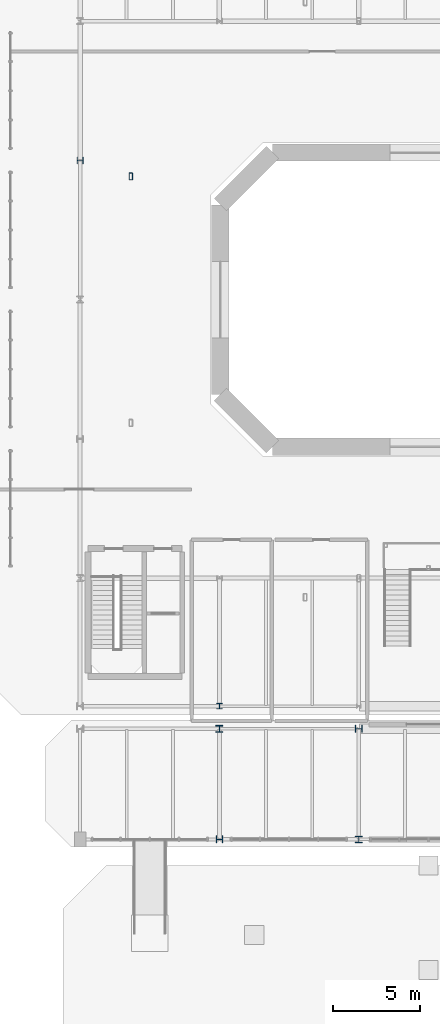
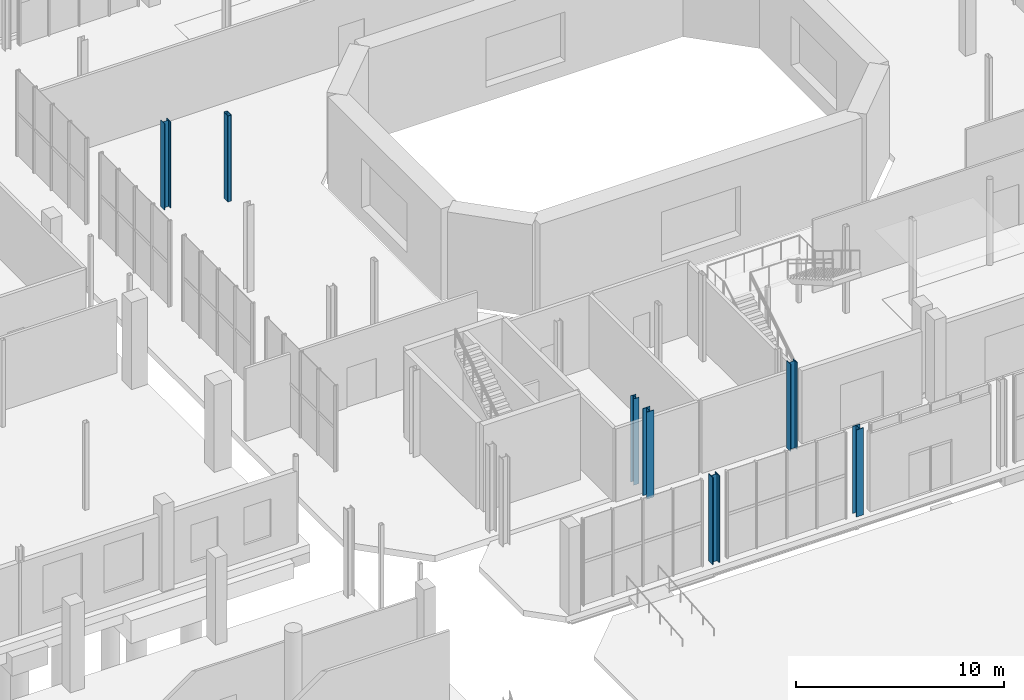
# One storey, part 12 of 87: 7 columns.
"""IFC4 building model written with IfcOpenShell, lengths in metres."""

from ifc_helpers import new_model, si_unit, direction, frame, origin, origin_2d, place, context, subcontext, project, spatial, hollow_rectangle, i_section, extrude, material, material_profile, profile_set, type_object, element, save


model = new_model("IFC4")

# Units and contexts
model_context = context("Model", 3, precision=1e-05, world=origin(), true_north=direction((0.0, 1.0)))
body_context = subcontext(model_context, "Body", "Model", "MODEL_VIEW")
ifc_project = project(units=[si_unit("LENGTHUNIT", "METRE"), si_unit("AREAUNIT", "SQUARE_METRE"), si_unit("VOLUMEUNIT", "CUBIC_METRE"), si_unit("PLANEANGLEUNIT", "RADIAN"), si_unit("MASSUNIT", "GRAM", prefix="KILO")], contexts=[model_context])

# Site, building, storey
site_placement = place(None, origin())
site = spatial("IfcSite", under=ifc_project, at=site_placement, CompositionType="ELEMENT")
building_placement = place(site_placement, origin())
building = spatial("IfcBuilding", under=site, at=building_placement, Name="Brisemont Oceanarium", CompositionType="ELEMENT")
storey_placement = place(building_placement, origin())
storey = spatial("IfcBuildingStorey", under=building, at=storey_placement, Name="L00", CompositionType="ELEMENT", Elevation=0.0)

# Columns
ifc_material_1 = material(Name="Structural Steel ASTM A500 Gr.C", Category="steel")
ifc_material_profile_1 = material_profile(ifc_material_1, hollow_rectangle(XDim=0.202880859375, YDim=0.406005859375, WallThickness=0.01171875, InnerFilletRadius=0.01220703125, OuterFilletRadius=0.02392578125, at=origin_2d()), Name="HSS16X8X1/2")
ifc_profile_set_1 = profile_set([ifc_material_profile_1], Name="Structural Steel ASTM A500 Gr.C")
column_type_1 = type_object("IfcColumnType", Name="COL-HSS16X8", PredefinedType="COLUMN", material=ifc_profile_set_1)
column_1_placement = place(storey_placement, frame((66.908203125, 63.07958984375, 0.0), z_axis=(0.0, 0.0, 1.0), x_axis=(1.0, 0.0, 0.0)))
element("IfcColumn", 1, at=column_1_placement, inside=storey, type_object=column_type_1, Name="V1 dome drum pier L00.4", PredefinedType="COLUMN", context=body_context, shape_type="SweptSolid", body=[
    extrude(hollow_rectangle(XDim=0.202880859375, YDim=0.406005859375, WallThickness=0.01171875, InnerFilletRadius=0.01220703125, OuterFilletRadius=0.02392578125, at=origin_2d()), origin(), (0.0, 0.0, 1.0), 5.06005859375),
])
ifc_material_2 = material(Name="Structural Steel ASTM A992 Gr.50", Category="steel")
ifc_material_profile_2 = material_profile(ifc_material_2, i_section(OverallWidth=0.306884765625, OverallDepth=0.31494140625, WebThickness=0.011962890625, FlangeThickness=0.018798828125, FilletRadius=0.012939453125, at=origin_2d()), Name="W12X79")
ifc_profile_set_2 = profile_set([ifc_material_profile_2], Name="Structural Steel ASTM A992 Gr.50")
column_type_2 = type_object("IfcColumnType", Name="COL-W12X79", PredefinedType="COLUMN", material=ifc_profile_set_2)
column_2_placement = place(storey_placement, frame((72.0, 32.64990234375, 0.0), z_axis=(0.0, 0.0, 1.0), x_axis=(1.0, 0.0, 0.0)))
element("IfcColumn", 2, at=column_2_placement, inside=storey, type_object=column_type_2, Name="V1 L00 column (2,0)", PredefinedType="COLUMN", context=body_context, shape_type="SweptSolid", body=[
    extrude(i_section(OverallWidth=0.306884765625, OverallDepth=0.31494140625, WebThickness=0.011962890625, FlangeThickness=0.018798828125, FilletRadius=0.012939453125, at=origin_2d()), origin(), (0.0, 0.0, 1.0), 5.080078125),
])
ifc_material_3 = material(Name="Structural Steel ASTM A992 Gr.50", Category="steel")
ifc_material_profile_3 = material_profile(ifc_material_3, i_section(OverallWidth=0.39404296875, OverallDepth=0.3759765625, WebThickness=0.017333984375, FlangeThickness=0.027587890625, FilletRadius=0.014892578125, at=origin_2d()), Name="W14X145")
ifc_profile_set_3 = profile_set([ifc_material_profile_3], Name="Structural Steel ASTM A992 Gr.50")
column_type_3 = type_object("IfcColumnType", Name="COL-W14X145", PredefinedType="COLUMN", material=ifc_profile_set_3)
column_3_placement = place(storey_placement, frame((80.0, 31.35009765625, 0.0), z_axis=(0.0, 0.0, 1.0), x_axis=(0.0, 1.0, 0.0)))
element("IfcColumn", 3, at=column_3_placement, inside=storey, type_object=column_type_3, Name="V1P L00 column (2,1)", PredefinedType="COLUMN", context=body_context, shape_type="SweptSolid", body=[
    extrude(i_section(OverallWidth=0.39404296875, OverallDepth=0.3759765625, WebThickness=0.017333984375, FlangeThickness=0.027587890625, FilletRadius=0.014892578125, at=origin_2d()), origin(), (0.0, 0.0, 1.0), 5.1201171875),
])
ifc_material_4 = material(Name="Structural Steel ASTM A992 Gr.50", Category="steel")
ifc_material_profile_4 = material_profile(ifc_material_4, i_section(OverallWidth=0.39501953125, OverallDepth=0.3798828125, WebThickness=0.018798828125, FlangeThickness=0.0302734375, FilletRadius=0.014892578125, at=origin_2d()), Name="W14X159")
ifc_profile_set_4 = profile_set([ifc_material_profile_4], Name="Structural Steel ASTM A992 Gr.50")
column_type_4 = type_object("IfcColumnType", Name="COL-W14X159", PredefinedType="COLUMN", material=ifc_profile_set_4)
column_4_placement = place(storey_placement, frame((80.0, 25.0, 0.0), z_axis=(0.0, 0.0, 1.0), x_axis=(1.0, 0.0, 0.0)))
element("IfcColumn", 4, at=column_4_placement, inside=storey, type_object=column_type_4, Name="V1P L00 column (2,0)", PredefinedType="COLUMN", context=body_context, shape_type="SweptSolid", body=[
    extrude(i_section(OverallWidth=0.39501953125, OverallDepth=0.3798828125, WebThickness=0.018798828125, FlangeThickness=0.0302734375, FilletRadius=0.014892578125, at=origin_2d()), origin(), (0.0, 0.0, 1.0), 5.1201171875),
])
ifc_material_5 = material(Name="Structural Steel ASTM A992 Gr.50", Category="steel")
ifc_material_profile_5 = material_profile(ifc_material_5, i_section(OverallWidth=0.39892578125, OverallDepth=0.385986328125, WebThickness=0.02099609375, FlangeThickness=0.033203125, FilletRadius=0.014892578125, at=origin_2d()), Name="W14X176")
ifc_profile_set_5 = profile_set([ifc_material_profile_5], Name="Structural Steel ASTM A992 Gr.50")
column_type_5 = type_object("IfcColumnType", Name="COL-W14X176", PredefinedType="COLUMN", material=ifc_profile_set_5)
column_5_placement = place(storey_placement, frame((72.0, 31.35009765625, 0.0), z_axis=(0.0, 0.0, 1.0), x_axis=(1.0, 0.0, 0.0)))
element("IfcColumn", 5, at=column_5_placement, inside=storey, type_object=column_type_5, Name="V1P L00 column (1,1)", PredefinedType="COLUMN", context=body_context, shape_type="SweptSolid", body=[
    extrude(i_section(OverallWidth=0.39892578125, OverallDepth=0.385986328125, WebThickness=0.02099609375, FlangeThickness=0.033203125, FilletRadius=0.014892578125, at=origin_2d()), origin(), (0.0, 0.0, 1.0), 5.1201171875),
])
ifc_material_6 = material(Name="Structural Steel ASTM A992 Gr.50", Category="steel")
ifc_material_profile_6 = material_profile(ifc_material_6, i_section(OverallWidth=0.39990234375, OverallDepth=0.39306640625, WebThickness=0.022705078125, FlangeThickness=0.03662109375, FilletRadius=0.014892578125, at=origin_2d()), Name="W14X193")
ifc_profile_set_6 = profile_set([ifc_material_profile_6], Name="Structural Steel ASTM A992 Gr.50")
column_type_6 = type_object("IfcColumnType", Name="COL-W14X193", PredefinedType="COLUMN", material=ifc_profile_set_6)
column_6_placement = place(storey_placement, frame((72.0, 25.0, 0.0), z_axis=(0.0, 0.0, 1.0), x_axis=(0.0, 1.0, 0.0)))
element("IfcColumn", 6, at=column_6_placement, inside=storey, type_object=column_type_6, Name="V1P L00 column (1,0)", PredefinedType="COLUMN", context=body_context, shape_type="SweptSolid", body=[
    extrude(i_section(OverallWidth=0.39990234375, OverallDepth=0.39306640625, WebThickness=0.022705078125, FlangeThickness=0.03662109375, FilletRadius=0.014892578125, at=origin_2d()), origin(), (0.0, 0.0, 1.0), 5.1201171875),
])
ifc_material_7 = material(Name="Structural Steel ASTM A992 Gr.50", Category="steel")
ifc_material_profile_7 = material_profile(ifc_material_7, i_section(OverallWidth=0.37109375, OverallDepth=0.361083984375, WebThickness=0.01220703125, FlangeThickness=0.019775390625, FilletRadius=0.014892578125, at=origin_2d()), Name="W14X99")
ifc_profile_set_7 = profile_set([ifc_material_profile_7], Name="Structural Steel ASTM A992 Gr.50")
column_type_7 = type_object("IfcColumnType", Name="COL-W14X99", PredefinedType="COLUMN", material=ifc_profile_set_7)
column_7_placement = place(storey_placement, frame((64.0, 64.0, 0.0), z_axis=(0.0, 0.0, 1.0), x_axis=(0.0, 1.0, 0.0)))
element("IfcColumn", 7, at=column_7_placement, inside=storey, type_object=column_type_7, Name="V1 L00 column (1,4)", PredefinedType="COLUMN", context=body_context, shape_type="SweptSolid", body=[
    extrude(i_section(OverallWidth=0.37109375, OverallDepth=0.361083984375, WebThickness=0.01220703125, FlangeThickness=0.019775390625, FilletRadius=0.014892578125, at=origin_2d()), origin(), (0.0, 0.0, 1.0), 5.080078125),
])

save(model, "model.ifc")
